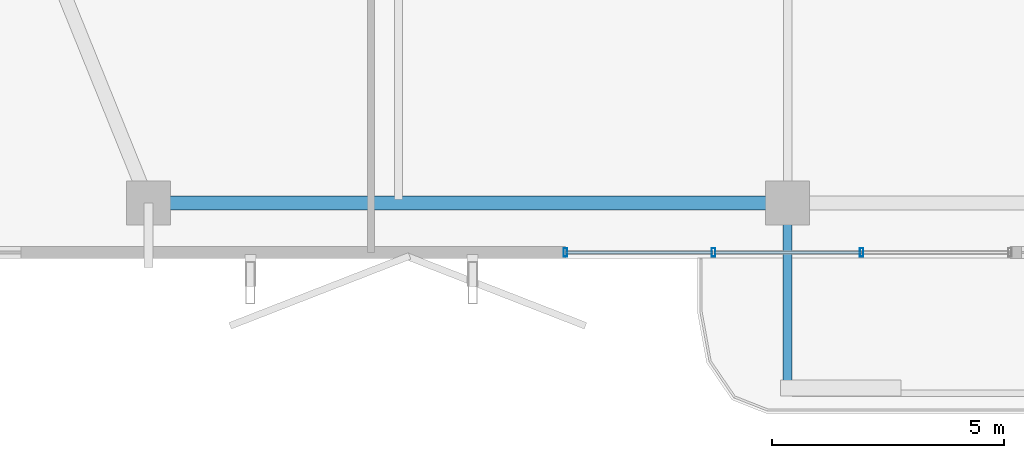
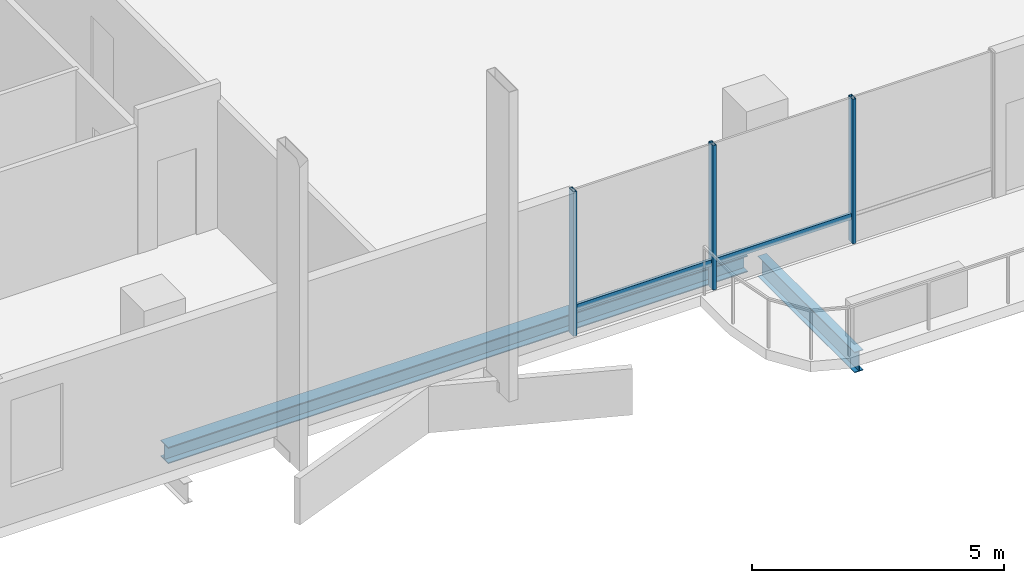
# One storey, part 2 of 25: 5 members, 2 beams, 1 element without a shape of its own.
"""IFC4 building model written with IfcOpenShell, lengths in metres."""

from ifc_helpers import new_model, si_unit, direction, frame, origin, origin_2d, place, context, subcontext, project, spatial, hollow_rectangle, i_section, extrude, material, layer, layer_set, material_profile, profile_set, type_object, element, aggregate, save


model = new_model("IFC4")

# Units and contexts
model_context = context("Model", 3, precision=1e-05, world=origin(), true_north=direction((0.0, 1.0)))
body_context = subcontext(model_context, "Body", "Model", "MODEL_VIEW")
ifc_project = project(units=[si_unit("LENGTHUNIT", "METRE"), si_unit("AREAUNIT", "SQUARE_METRE"), si_unit("VOLUMEUNIT", "CUBIC_METRE"), si_unit("PLANEANGLEUNIT", "RADIAN"), si_unit("MASSUNIT", "GRAM", prefix="KILO")], contexts=[model_context])

# Site, building, storey
site_placement = place(None, origin())
site = spatial("IfcSite", under=ifc_project, at=site_placement, CompositionType="ELEMENT")
building_placement = place(site_placement, origin())
building = spatial("IfcBuilding", under=site, at=building_placement, Name="Belovzor Exchange Tower", CompositionType="ELEMENT")
storey_placement = place(building_placement, frame((0.0, 0.0, 272.85009765625)))
storey = spatial("IfcBuildingStorey", under=building, at=storey_placement, Name="L68", CompositionType="ELEMENT", Elevation=272.85009765625)

# Beam
ifc_material_1 = material(Name="Steel S355", Category="steel")
ifc_material_profile_1 = material_profile(ifc_material_1, i_section(OverallWidth=0.199951171875, OverallDepth=0.5, WebThickness=0.01025390625, FlangeThickness=0.01611328125, at=origin_2d()))
ifc_profile_set_1 = profile_set([ifc_material_profile_1], Name="Steel S355")
beam_type_1 = type_object("IfcBeamType", Name="Planted Balcony Cantilever Beam IPE 500", PredefinedType="BEAM", material=ifc_profile_set_1)
beam_1_placement = place(storey_placement, frame((28.800048828125, 4.839111328125, -0.5), z_axis=(0.0, -1.0, 0.0), x_axis=(1.0, 0.0, 0.0)))
element("IfcBeam", 1, at=beam_1_placement, inside=storey, type_object=beam_type_1, Name="BC-500 Planted Balcony Cantilever Beam IPE 500", PredefinedType="BEAM", context=body_context, shape_type="SweptSolid", body=[
    extrude(i_section(OverallWidth=0.199951171875, OverallDepth=0.5, WebThickness=0.01025390625, FlangeThickness=0.01611328125, at=origin_2d()), origin(), (0.0, 0.0, 1.0), 3.85009765625),
])

# Curtain wall, members
ifc_material_2 = material(Name="Anodised Aluminium Framing", Category="aluminium")
ifc_layer = layer(ifc_material_2, 0.179931640625)
ifc_layer_set = layer_set([ifc_layer], Name="Anodised Aluminium Framing")
curtain_wall_type = type_object("IfcCurtainWallType", Name="Recessed Loggia Low-Iron Triple-Glazed Curtain Wall", PredefinedType="NOTDEFINED", material=ifc_layer_set)
curtain_wall_placement = place(storey_placement, origin())
curtain_wall = element("IfcCurtainWall", 2, at=curtain_wall_placement, inside=storey, type_object=curtain_wall_type, Name="CW3 Recessed Loggia Low-Iron Triple-Glazed Curtain Wall L68", PredefinedType="NOTDEFINED")
ifc_material_3 = material(Name="Steel S355", Category="steel")
ifc_material_profile_2 = material_profile(ifc_material_3, hollow_rectangle(XDim=0.074951171875, YDim=0.179931640625, WallThickness=0.0048828125, at=origin_2d()))
ifc_profile_set_2 = profile_set([ifc_material_profile_2], Name="Steel S355")
member_type_1 = type_object("IfcMemberType", Name="Thermally Broken Curtain Wall Mullion 180x75", PredefinedType="MULLION", material=ifc_profile_set_2)
member_1_placement = place(storey_placement, frame((30.39990234375, 4.030029296875, 0.0), z_axis=(0.0, 0.0, 1.0), x_axis=(-1.0, 0.0, 0.0)))
member_1 = element("IfcMember", 3, at=member_1_placement, type_object=member_type_1, Name="CW-M180 Curtain Wall Mullion 2", PredefinedType="MULLION", context=body_context, shape_type="SweptSolid", body=[
    extrude(hollow_rectangle(XDim=0.074951171875, YDim=0.179931640625, WallThickness=0.0048828125, at=origin_2d()), origin(), (0.0, 0.0, 1.0), 3.5),
])
member_2_placement = place(storey_placement, frame((27.199951171875, 4.030029296875, 0.0), z_axis=(0.0, 0.0, 1.0), x_axis=(-1.0, 0.0, 0.0)))
member_2 = element("IfcMember", 4, at=member_2_placement, type_object=member_type_1, Name="CW-M180 Curtain Wall Mullion 3", PredefinedType="MULLION", context=body_context, shape_type="SweptSolid", body=[
    extrude(hollow_rectangle(XDim=0.074951171875, YDim=0.179931640625, WallThickness=0.0048828125, at=origin_2d()), origin(), (0.0, 0.0, 1.0), 3.5),
])
member_3_placement = place(storey_placement, frame((24.0, 4.030029296875, 0.0), z_axis=(0.0, 0.0, 1.0), x_axis=(-1.0, 0.0, 0.0)))
member_3 = element("IfcMember", 5, at=member_3_placement, type_object=member_type_1, Name="CW-M180 Curtain Wall Mullion 4", PredefinedType="MULLION", context=body_context, shape_type="SweptSolid", body=[
    extrude(hollow_rectangle(XDim=0.074951171875, YDim=0.179931640625, WallThickness=0.0048828125, at=origin_2d()), origin(), (0.0, 0.0, 1.0), 3.5),
])
ifc_material_4 = material(Name="Steel S355", Category="steel")
ifc_material_profile_3 = material_profile(ifc_material_4, hollow_rectangle(XDim=0.06005859375, YDim=0.14990234375, WallThickness=0.00390625, at=origin_2d()))
ifc_profile_set_3 = profile_set([ifc_material_profile_3], Name="Steel S355")
member_type_2 = type_object("IfcMemberType", Name="Thermally Broken Curtain Wall Transom 150x60", PredefinedType="USERDEFINED", material=ifc_profile_set_3)
member_4_placement = place(storey_placement, frame((30.39208984375, 4.030029296875, 0.6298828125), z_axis=(-1.0, 0.0, 0.0), x_axis=(0.0, -1.0, 0.0)))
member_4 = element("IfcMember", 6, at=member_4_placement, type_object=member_type_2, Name="CW-T150 Curtain Wall Transom 2", ObjectType="TRANSOM", PredefinedType="USERDEFINED", context=body_context, shape_type="SweptSolid", body=[
    extrude(hollow_rectangle(XDim=0.06005859375, YDim=0.14990234375, WallThickness=0.00390625, at=origin_2d()), origin(), (0.0, 0.0, 1.0), 3.18408203125),
])
member_5_placement = place(storey_placement, frame((27.19189453125, 4.030029296875, 0.6298828125), z_axis=(-1.0, 0.0, 0.0), x_axis=(0.0, -1.0, 0.0)))
member_5 = element("IfcMember", 7, at=member_5_placement, type_object=member_type_2, Name="CW-T150 Curtain Wall Transom 3", ObjectType="TRANSOM", PredefinedType="USERDEFINED", context=body_context, shape_type="SweptSolid", body=[
    extrude(hollow_rectangle(XDim=0.06005859375, YDim=0.14990234375, WallThickness=0.00390625, at=origin_2d()), origin(), (0.0, 0.0, 1.0), 3.183837890625),
])
aggregate(curtain_wall, [member_1, member_2, member_3, member_4, member_5])

# Beam
ifc_material_5 = material(Name="Steel S355", Category="steel")
ifc_material_profile_4 = material_profile(ifc_material_5, i_section(OverallWidth=0.300048828125, OverallDepth=0.39990234375, WebThickness=0.013427734375, FlangeThickness=0.02392578125, at=origin_2d()))
ifc_profile_set_4 = profile_set([ifc_material_profile_4], Name="Steel S355")
beam_type_2 = type_object("IfcBeamType", Name="Zone 5 Primary Girder HEB 400", PredefinedType="BEAM", material=ifc_profile_set_4)
beam_2_placement = place(storey_placement, frame((15.260986328125, 5.10009765625, -0.4501953125), z_axis=(1.0, 0.0, 0.0), x_axis=(0.0, 1.0, 0.0)))
element("IfcBeam", 8, at=beam_2_placement, inside=storey, type_object=beam_type_2, Name="FG-Z5 Zone 5 Primary Girder HEB 400", PredefinedType="BEAM", context=body_context, shape_type="SweptSolid", body=[
    extrude(i_section(OverallWidth=0.300048828125, OverallDepth=0.39990234375, WebThickness=0.013427734375, FlangeThickness=0.02392578125, at=origin_2d()), origin(), (0.0, 0.0, 1.0), 13.278076171875),
])

save(model, "model.ifc")
